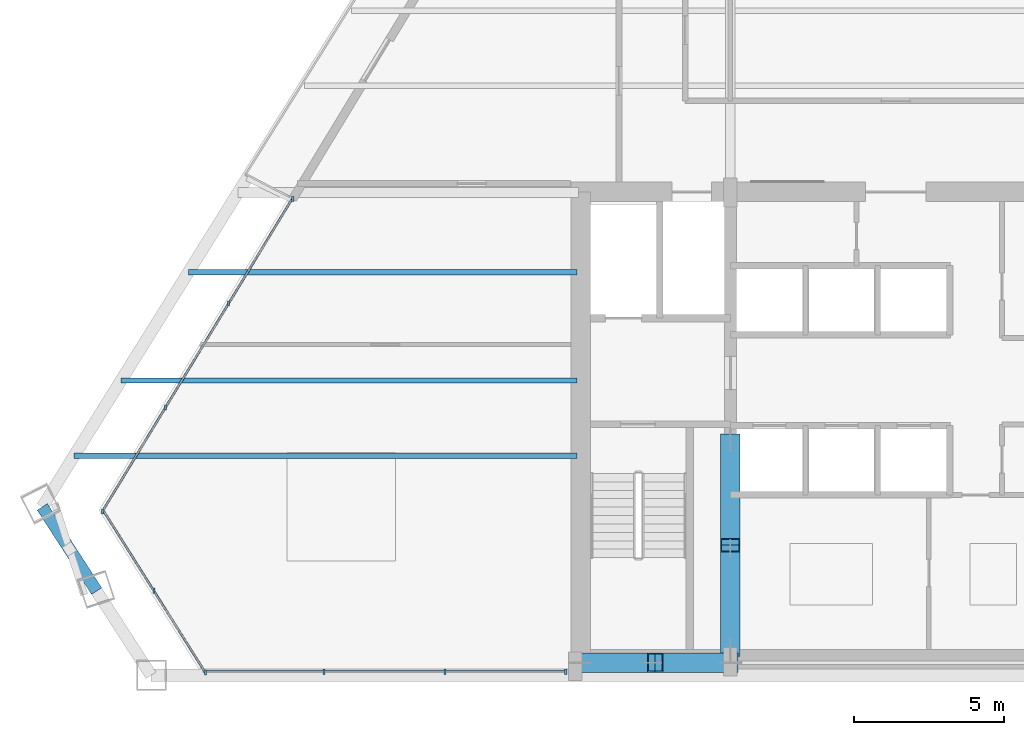
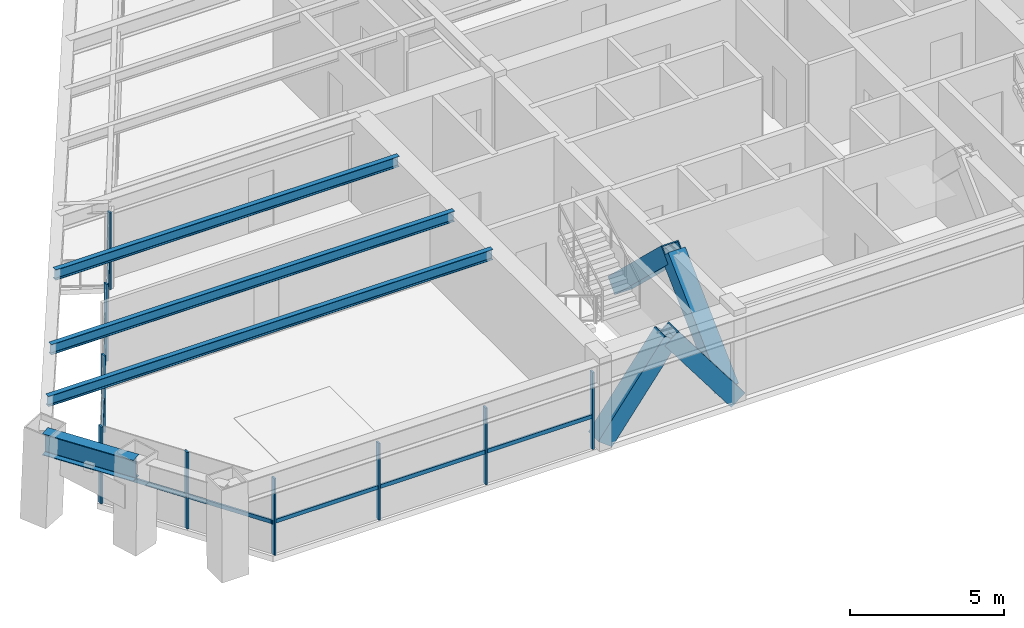
# One storey, part 2 of 12: 21 members, 4 beams, 3 elements without a shape of their own.
"""IFC4 building model written with IfcOpenShell, lengths in metres."""

from ifc_helpers import new_model, si_unit, direction, frame, origin, origin_2d, place, context, subcontext, project, spatial, rectangle, hollow_rectangle, i_section, extrude, source, transform, mapped, material, material_profile, profile_set, type_object, element, aggregate, save


model = new_model("IFC4")

# Units and contexts
model_context = context("Model", 3, precision=1e-05, world=origin(), true_north=direction((0.0, 1.0)))
body_context = subcontext(model_context, "Body", "Model", "MODEL_VIEW")
ifc_project = project(units=[si_unit("LENGTHUNIT", "METRE"), si_unit("AREAUNIT", "SQUARE_METRE"), si_unit("VOLUMEUNIT", "CUBIC_METRE"), si_unit("PLANEANGLEUNIT", "RADIAN"), si_unit("MASSUNIT", "GRAM", prefix="KILO")], contexts=[model_context])

# Site, building, storey
site_placement = place(None, origin())
site = spatial("IfcSite", under=ifc_project, at=site_placement, CompositionType="ELEMENT")
building_placement = place(site_placement, origin())
building = spatial("IfcBuilding", under=site, at=building_placement, Name="Varnakhor Terracotta Tower", CompositionType="ELEMENT")
storey_placement = place(building_placement, frame((0.0, 0.0, 208.0)))
storey = spatial("IfcBuildingStorey", under=building, at=storey_placement, Name="L53", CompositionType="ELEMENT", Elevation=208.0)

# Members
ifc_material_1 = material(Name="Steel S460", Category="steel")
ifc_material_profile_1 = material_profile(ifc_material_1, hollow_rectangle(XDim=0.64990234375, YDim=0.64990234375, WallThickness=0.0400390625, at=origin_2d()), Name="HSS650X650X40")
ifc_profile_set_1 = profile_set([ifc_material_profile_1], Name="Steel S460")
member_type_1 = type_object("IfcMemberType", Name="MBR-MEGA-650", PredefinedType="BRACE", material=ifc_profile_set_1)
shared_shape_1 = source(origin(), body_context, "Body", "SweptSolid", [
    extrude(hollow_rectangle(XDim=0.64990234375, YDim=0.64990234375, WallThickness=0.0400390625, at=origin_2d()), origin(), (0.0, 0.0, 1.0), 4.805908203125),
])
member_1_placement = place(storey_placement, frame((-5.5, 0.85009765625, 0.0), z_axis=(0.0, 0.723026776832, 0.69082000549), x_axis=(-1.0, 0.0, 0.0)))
element("IfcMember", 1, at=member_1_placement, inside=storey, type_object=member_type_1, Name="L53 Core Coupled Brace CWWA", PredefinedType="BRACE", context=body_context, shape_type="MappedRepresentation", body=[
    mapped(shared_shape_1, transform((0.0, 0.0, 0.0), scale=1.0)),
])
shared_shape_2 = source(origin(), body_context, "Body", "SweptSolid", [
    extrude(hollow_rectangle(XDim=0.64990234375, YDim=0.64990234375, WallThickness=0.0400390625, at=origin_2d()), origin(), (0.0, 0.0, 1.0), 4.156005859375),
])
for number, where, z_axis, x_axis, name in (
    (2, (-10.5, 0.419921875, 0.0), (0.601530923869, 0.0, 0.798849515009), (0.0, 1.0, 0.0), "L53 Core Coupled Brace CSWA"),
    (3, (-5.5, 0.419921875, 0.0), (-0.601530923869, 0.0, 0.798849515009), (0.0, -1.0, 0.0), "L53 Core Coupled Brace CSWB"),
):
    element("IfcMember", number, at=place(storey_placement, frame(where, z_axis=z_axis, x_axis=x_axis)), inside=storey, type_object=member_type_1, Name=name, PredefinedType="BRACE", context=body_context, shape_type="MappedRepresentation", body=[
        mapped(shared_shape_2, transform((0.0, 0.0, 0.0), scale=1.0)),
    ])
shared_shape_3 = source(origin(), body_context, "Body", "SweptSolid", [
    extrude(hollow_rectangle(XDim=0.64990234375, YDim=0.64990234375, WallThickness=0.0400390625, at=origin_2d()), origin(), (0.0, 0.0, 1.0), 4.80615234375),
])
member_2_placement = place(storey_placement, frame((-5.5, 7.800048828125, 0.0), z_axis=(0.0, -0.723051018573, 0.690794632681), x_axis=(1.0, 0.0, 0.0)))
element("IfcMember", 4, at=member_2_placement, inside=storey, type_object=member_type_1, Name="L53 Core Coupled Brace CWWB", PredefinedType="BRACE", context=body_context, shape_type="MappedRepresentation", body=[
    mapped(shared_shape_3, transform((0.0, 0.0, 0.0), scale=1.0)),
])

# Beams
ifc_material_2 = material(Name="Steel S355", Category="steel")
ifc_material_profile_2 = material_profile(ifc_material_2, i_section(OverallWidth=0.39990234375, OverallDepth=0.85498046875, WebThickness=0.01806640625, FlangeThickness=0.029052734375, FilletRadius=0.01806640625, at=origin_2d()), Name="W33X201")
ifc_profile_set_2 = profile_set([ifc_material_profile_2], Name="Steel S355")
beam_type_1 = type_object("IfcBeamType", Name="BM-W33X201", PredefinedType="BEAM", material=ifc_profile_set_2)
shared_shape_4 = source(origin(), body_context, "Body", "SweptSolid", [
    extrude(i_section(OverallWidth=0.39990234375, OverallDepth=0.85498046875, WebThickness=0.01806640625, FlangeThickness=0.029052734375, FilletRadius=0.01806640625, at=origin_2d()), origin(), (0.0, 0.0, 1.0), 3.3310546875),
])
beam_1_placement = place(storey_placement, frame((-28.37646484375, 5.5966796875, 3.04248046875), z_axis=(0.542445692814, -0.840090870292, 0.0), x_axis=(0.840090870292, 0.542445692814, 0.0)))
element("IfcBeam", 5, at=beam_1_placement, inside=storey, type_object=beam_type_1, Name="L53 Perimeter Spandrel 7", PredefinedType="BEAM", context=body_context, shape_type="MappedRepresentation", body=[
    mapped(shared_shape_4, transform((0.0, 0.0, 0.0), scale=1.0)),
])
ifc_material_profile_3 = material_profile(ifc_material_2, i_section(OverallWidth=0.179931640625, OverallDepth=0.4130859375, WebThickness=0.009765625, FlangeThickness=0.01611328125, FilletRadius=0.01806640625, at=origin_2d()), Name="W16X50")
ifc_profile_set_3 = profile_set([ifc_material_profile_3], Name="Steel S355")
beam_type_2 = type_object("IfcBeamType", Name="JST-W16X50", PredefinedType="JOIST", material=ifc_profile_set_3)
shared_shape_5 = source(origin(), body_context, "Body", "SweptSolid", [
    extrude(i_section(OverallWidth=0.179931640625, OverallDepth=0.4130859375, WebThickness=0.009765625, FlangeThickness=0.01611328125, FilletRadius=0.01806640625, at=origin_2d()), origin(), (0.0, 0.0, 1.0), 16.7158203125),
])
beam_2_placement = place(storey_placement, frame((-27.31591796875, 7.300048828125, 3.263427734375), z_axis=(1.0, 0.0, 0.0), x_axis=(0.0, 1.0, 0.0)))
element("IfcBeam", 6, at=beam_2_placement, inside=storey, type_object=beam_type_2, Name="L53 Floor Joist W1", PredefinedType="JOIST", context=body_context, shape_type="MappedRepresentation", body=[
    mapped(shared_shape_5, transform((0.0, 0.0, 0.0), scale=1.0)),
])
shared_shape_6 = source(origin(), body_context, "Body", "SweptSolid", [
    extrude(i_section(OverallWidth=0.179931640625, OverallDepth=0.4130859375, WebThickness=0.009765625, FlangeThickness=0.01611328125, FilletRadius=0.01806640625, at=origin_2d()), origin(), (0.0, 0.0, 1.0), 15.1591796875),
])
beam_3_placement = place(storey_placement, frame((-25.75927734375, 9.800048828125, 3.263427734375), z_axis=(1.0, 0.0, 0.0), x_axis=(0.0, 1.0, 0.0)))
element("IfcBeam", 7, at=beam_3_placement, inside=storey, type_object=beam_type_2, Name="L53 Floor Joist W2", PredefinedType="JOIST", context=body_context, shape_type="MappedRepresentation", body=[
    mapped(shared_shape_6, transform((0.0, 0.0, 0.0), scale=1.0)),
])
shared_shape_7 = source(origin(), body_context, "Body", "SweptSolid", [
    extrude(i_section(OverallWidth=0.179931640625, OverallDepth=0.4130859375, WebThickness=0.009765625, FlangeThickness=0.01611328125, FilletRadius=0.01806640625, at=origin_2d()), origin(), (0.0, 0.0, 1.0), 12.91748046875),
])
beam_4_placement = place(storey_placement, frame((-23.517578125, 13.39990234375, 3.263427734375), z_axis=(1.0, 0.0, 0.0), x_axis=(0.0, 1.0, 0.0)))
element("IfcBeam", 8, at=beam_4_placement, inside=storey, type_object=beam_type_2, Name="L53 Floor Joist W3", PredefinedType="JOIST", context=body_context, shape_type="MappedRepresentation", body=[
    mapped(shared_shape_7, transform((0.0, 0.0, 0.0), scale=1.0)),
])

# Curtain wall, members
ifc_material_3 = material(Name="Anodised Aluminium Curtain Wall System", Category="aluminium")
curtain_wall_type = type_object("IfcCurtainWallType", Name="CW-SYS-MID-OFFICE", PredefinedType="NOTDEFINED", material=ifc_material_3)
curtain_wall_1_placement = place(storey_placement, origin())
curtain_wall_1 = element("IfcCurtainWall", 9, at=curtain_wall_1_placement, inside=storey, type_object=curtain_wall_type, Name="L53 W Facet Curtain Wall 1", PredefinedType="NOTDEFINED")
ifc_material_4 = material(Name="Anodised Aluminium 6063-T6", Category="aluminium")
ifc_material_profile_4 = material_profile(ifc_material_4, rectangle(XDim=0.070068359375, YDim=0.175048828125, at=origin_2d()), Name="ALU MULLION 70x175")
ifc_profile_set_4 = profile_set([ifc_material_profile_4], Name="Anodised Aluminium 6063-T6")
member_type_2 = type_object("IfcMemberType", Name="CWM-03", PredefinedType="MULLION", material=ifc_profile_set_4)
shared_shape_8 = source(origin(), body_context, "Body", "SweptSolid", [
    extrude(rectangle(XDim=0.070068359375, YDim=0.175048828125, at=origin_2d()), origin(), (0.0, 0.0, 1.0), 3.050048828125),
])
member_3_placement = place(storey_placement, frame((-26.376220703125, 5.447998046875, 0.0), z_axis=(0.0, 0.0, 1.0), x_axis=(1.0, 0.0, 0.0)))
member_3 = element("IfcMember", 10, at=member_3_placement, type_object=member_type_2, Name="L53 W Facet Curtain Wall 1 Mullion 1", PredefinedType="MULLION", context=body_context, shape_type="MappedRepresentation", body=[
    mapped(shared_shape_8, transform((0.0, 0.0, 0.0), scale=1.0)),
])
member_4_placement = place(storey_placement, frame((-24.27783203125, 8.904541015625, 0.0), z_axis=(0.0, 0.0, 1.0), x_axis=(1.0, 0.0, 0.0)))
member_4 = element("IfcMember", 11, at=member_4_placement, type_object=member_type_2, Name="L53 W Facet Curtain Wall 1 Mullion 2", PredefinedType="MULLION", context=body_context, shape_type="MappedRepresentation", body=[
    mapped(shared_shape_8, transform((0.0, 0.0, 0.0), scale=1.0)),
])
member_5_placement = place(storey_placement, frame((-22.179443359375, 12.361328125, 0.0), z_axis=(0.0, 0.0, 1.0), x_axis=(1.0, 0.0, 0.0)))
member_5 = element("IfcMember", 12, at=member_5_placement, type_object=member_type_2, Name="L53 W Facet Curtain Wall 1 Mullion 3", PredefinedType="MULLION", context=body_context, shape_type="MappedRepresentation", body=[
    mapped(shared_shape_8, transform((0.0, 0.0, 0.0), scale=1.0)),
])
member_6_placement = place(storey_placement, frame((-20.04833984375, 15.833251953125, 0.0), z_axis=(0.0, 0.0, 1.0), x_axis=(1.0, 0.0, 0.0)))
member_6 = element("IfcMember", 13, at=member_6_placement, type_object=member_type_2, Name="L53 W Loggia Jamb Closure Mullion 1", PredefinedType="MULLION", context=body_context, shape_type="MappedRepresentation", body=[
    mapped(shared_shape_8, transform((0.0, 0.0, 0.0), scale=1.0)),
])

curtain_wall_2_placement = place(storey_placement, origin())
curtain_wall_2 = element("IfcCurtainWall", 14, at=curtain_wall_2_placement, inside=storey, type_object=curtain_wall_type, Name="L53 South Wing Curtain Wall SSW", PredefinedType="NOTDEFINED")
member_7_placement = place(storey_placement, frame((-10.969970703125, 0.1201171875, 0.0), z_axis=(0.0, 0.0, 1.0), x_axis=(1.0, 0.0, 0.0)))
member_7 = element("IfcMember", 15, at=member_7_placement, type_object=member_type_2, Name="L53 South Wing Curtain Wall SSW Mullion 1", PredefinedType="MULLION", context=body_context, shape_type="MappedRepresentation", body=[
    mapped(shared_shape_8, transform((0.0, 0.0, 0.0), scale=1.0)),
])
member_8_placement = place(storey_placement, frame((-14.989990234375, 0.1201171875, 0.0), z_axis=(0.0, 0.0, 1.0), x_axis=(1.0, 0.0, 0.0)))
member_8 = element("IfcMember", 16, at=member_8_placement, type_object=member_type_2, Name="L53 South Wing Curtain Wall SSW Mullion 2", PredefinedType="MULLION", context=body_context, shape_type="MappedRepresentation", body=[
    mapped(shared_shape_8, transform((0.0, 0.0, 0.0), scale=1.0)),
])
member_9_placement = place(storey_placement, frame((-19.009765625, 0.1201171875, 0.0), z_axis=(0.0, 0.0, 1.0), x_axis=(1.0, 0.0, 0.0)))
member_9 = element("IfcMember", 17, at=member_9_placement, type_object=member_type_2, Name="L53 South Wing Curtain Wall SSW Mullion 3", PredefinedType="MULLION", context=body_context, shape_type="MappedRepresentation", body=[
    mapped(shared_shape_8, transform((0.0, 0.0, 0.0), scale=1.0)),
])

curtain_wall_3_placement = place(storey_placement, origin())
curtain_wall_3 = element("IfcCurtainWall", 18, at=curtain_wall_3_placement, inside=storey, type_object=curtain_wall_type, Name="L53 Facet Curtain Wall 6", PredefinedType="NOTDEFINED")
member_10_placement = place(storey_placement, frame((-22.9541015625, 0.08935546875, 0.0), z_axis=(0.0, 0.0, 1.0), x_axis=(1.0, 0.0, 0.0)))
member_10 = element("IfcMember", 19, at=member_10_placement, type_object=member_type_2, Name="L53 Facet Curtain Wall 6 Mullion 1", PredefinedType="MULLION", context=body_context, shape_type="MappedRepresentation", body=[
    mapped(shared_shape_8, transform((0.0, 0.0, 0.0), scale=1.0)),
])
member_11_placement = place(storey_placement, frame((-24.665283203125, 2.806396484375, 0.0), z_axis=(0.0, 0.0, 1.0), x_axis=(1.0, 0.0, 0.0)))
member_11 = element("IfcMember", 20, at=member_11_placement, type_object=member_type_2, Name="L53 Facet Curtain Wall 6 Mullion 2", PredefinedType="MULLION", context=body_context, shape_type="MappedRepresentation", body=[
    mapped(shared_shape_8, transform((0.0, 0.0, 0.0), scale=1.0)),
])

# Member
ifc_material_profile_5 = material_profile(ifc_material_4, rectangle(XDim=0.070068359375, YDim=0.155029296875, at=origin_2d()), Name="ALU TRANSOM 70x155")
ifc_profile_set_5 = profile_set([ifc_material_profile_5], Name="Anodised Aluminium 6063-T6")
member_type_3 = type_object("IfcMemberType", Name="CWT-03", PredefinedType="USERDEFINED", material=ifc_profile_set_5)
shared_shape_9 = source(origin(), body_context, "Body", "SweptSolid", [
    extrude(rectangle(XDim=0.070068359375, YDim=0.155029296875, at=origin_2d()), origin(), (0.0, 0.0, 1.0), 4.02001953125),
])
member_12_placement = place(storey_placement, frame((-10.969970703125, 0.1201171875, 1.281005859375), z_axis=(-1.0, 0.0, 0.0), x_axis=(0.0, -1.0, 0.0)))
member_12 = element("IfcMember", 21, at=member_12_placement, type_object=member_type_3, Name="L53 South Wing Curtain Wall SSW Transom 1", ObjectType="TRANSOM", PredefinedType="USERDEFINED", context=body_context, shape_type="MappedRepresentation", body=[
    mapped(shared_shape_9, transform((0.0, 0.0, 0.0), scale=1.0)),
])

shared_shape_10 = source(origin(), body_context, "Body", "SweptSolid", [
    extrude(rectangle(XDim=0.070068359375, YDim=0.155029296875, at=origin_2d()), origin(), (0.0, 0.0, 1.0), 4.019775390625),
])
member_13_placement = place(storey_placement, frame((-14.989990234375, 0.1201171875, 1.281005859375), z_axis=(-1.0, 0.0, 0.0), x_axis=(0.0, -1.0, 0.0)))
member_13 = element("IfcMember", 22, at=member_13_placement, type_object=member_type_3, Name="L53 South Wing Curtain Wall SSW Transom 2", ObjectType="TRANSOM", PredefinedType="USERDEFINED", context=body_context, shape_type="MappedRepresentation", body=[
    mapped(shared_shape_10, transform((0.0, 0.0, 0.0), scale=1.0)),
])

member_14_placement = place(storey_placement, frame((-19.009765625, 0.1201171875, 1.281005859375), z_axis=(-1.0, 0.0, 0.0), x_axis=(0.0, -1.0, 0.0)))
member_14 = element("IfcMember", 23, at=member_14_placement, type_object=member_type_3, Name="L53 South Wing Curtain Wall SSW Transom 3", ObjectType="TRANSOM", PredefinedType="USERDEFINED", context=body_context, shape_type="MappedRepresentation", body=[
    mapped(shared_shape_10, transform((0.0, 0.0, 0.0), scale=1.0)),
])

aggregate(curtain_wall_2, [member_7, member_12, member_8, member_13, member_9, member_14])

shared_shape_11 = source(origin(), body_context, "Body", "SweptSolid", [
    extrude(rectangle(XDim=0.070068359375, YDim=0.155029296875, at=origin_2d()), origin(), (0.0, 0.0, 1.0), 4.0439453125),
])
member_15_placement = place(storey_placement, frame((-24.27783203125, 8.904541015625, 1.281005859375), z_axis=(0.518910388236, 0.854828643051, 0.0), x_axis=(-0.854828643051, 0.518910388236, 0.0)))
member_15 = element("IfcMember", 24, at=member_15_placement, type_object=member_type_3, Name="L53 W Facet Curtain Wall 1 Transom 2", ObjectType="TRANSOM", PredefinedType="USERDEFINED", context=body_context, shape_type="MappedRepresentation", body=[
    mapped(shared_shape_11, transform((0.0, 0.0, 0.0), scale=1.0)),
])

member_16_placement = place(storey_placement, frame((-22.179443359375, 12.361328125, 1.281005859375), z_axis=(0.518910388236, 0.854828643051, 0.0), x_axis=(-0.854828643051, 0.518910388236, 0.0)))
member_16 = element("IfcMember", 25, at=member_16_placement, type_object=member_type_3, Name="L53 W Facet Curtain Wall 1 Transom 3", ObjectType="TRANSOM", PredefinedType="USERDEFINED", context=body_context, shape_type="MappedRepresentation", body=[
    mapped(shared_shape_11, transform((0.0, 0.0, 0.0), scale=1.0)),
])

shared_shape_12 = source(origin(), body_context, "Body", "SweptSolid", [
    extrude(rectangle(XDim=0.070068359375, YDim=0.155029296875, at=origin_2d()), origin(), (0.0, 0.0, 1.0), 4.043701171875),
])
member_17_placement = place(storey_placement, frame((-26.376220703125, 5.447998046875, 1.281005859375), z_axis=(0.518937169816, 0.854812385137, 0.0), x_axis=(-0.854812385137, 0.518937169816, 0.0)))
member_17 = element("IfcMember", 26, at=member_17_placement, type_object=member_type_3, Name="L53 W Facet Curtain Wall 1 Transom 1", ObjectType="TRANSOM", PredefinedType="USERDEFINED", context=body_context, shape_type="MappedRepresentation", body=[
    mapped(shared_shape_12, transform((0.0, 0.0, 0.0), scale=1.0)),
])

aggregate(curtain_wall_1, [member_3, member_17, member_4, member_15, member_5, member_16, member_6])

shared_shape_13 = source(origin(), body_context, "Body", "SweptSolid", [
    extrude(rectangle(XDim=0.070068359375, YDim=0.155029296875, at=origin_2d()), origin(), (0.0, 0.0, 1.0), 3.2109375),
])
member_18_placement = place(storey_placement, frame((-22.9541015625, 0.08935546875, 1.281005859375), z_axis=(-0.532914095294, 0.846169348912, 0.0), x_axis=(-0.846169348912, -0.532914095294, 0.0)))
member_18 = element("IfcMember", 27, at=member_18_placement, type_object=member_type_3, Name="L53 Facet Curtain Wall 6 Transom 1", ObjectType="TRANSOM", PredefinedType="USERDEFINED", context=body_context, shape_type="MappedRepresentation", body=[
    mapped(shared_shape_13, transform((0.0, 0.0, 0.0), scale=1.0)),
])

member_19_placement = place(storey_placement, frame((-24.665283203125, 2.806396484375, 1.281005859375), z_axis=(-0.533002820084, 0.846113463894, 0.0), x_axis=(-0.846113463894, -0.533002820084, 0.0)))
member_19 = element("IfcMember", 28, at=member_19_placement, type_object=member_type_3, Name="L53 Facet Curtain Wall 6 Transom 2", ObjectType="TRANSOM", PredefinedType="USERDEFINED", context=body_context, shape_type="MappedRepresentation", body=[
    mapped(shared_shape_13, transform((0.0, 0.0, 0.0), scale=1.0)),
])

aggregate(curtain_wall_3, [member_10, member_18, member_11, member_19])

save(model, "model.ifc")
